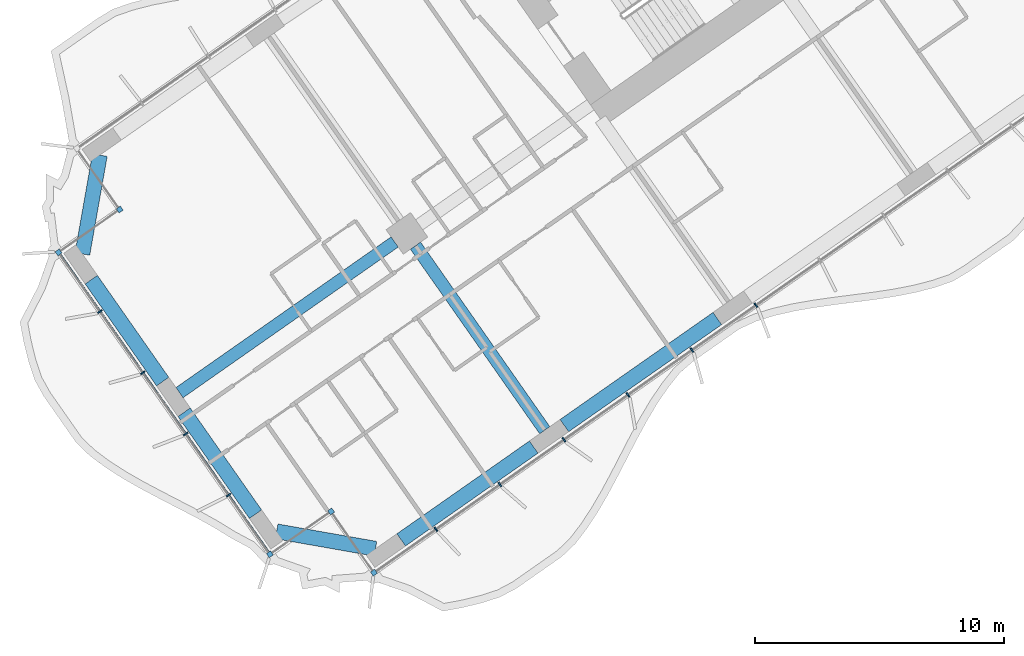
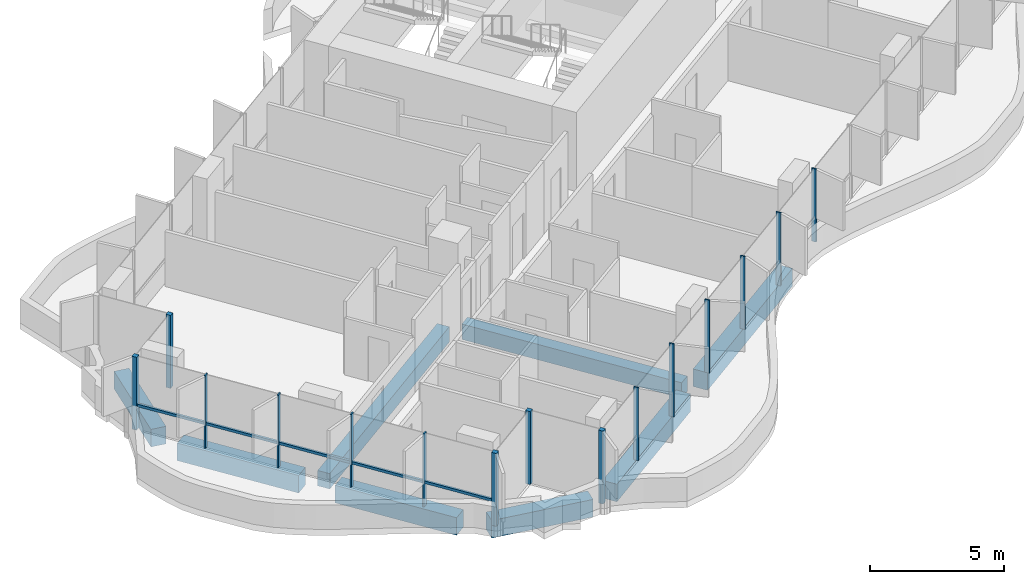
# One storey, part 2 of 24: 16 members, 8 beams, 1 element without a shape of its own.
"""IFC4 building model written with IfcOpenShell, lengths in metres."""

from ifc_helpers import new_model, si_unit, direction, frame, origin, origin_2d, place, context, subcontext, project, spatial, rectangle, extrude, material, material_profile, profile_set, type_object, element, aggregate, save


model = new_model("IFC4")

# Units and contexts
model_context = context("Model", 3, precision=1e-05, world=origin(), true_north=direction((0.0, 1.0)))
body_context = subcontext(model_context, "Body", "Model", "MODEL_VIEW")
ifc_project = project(units=[si_unit("LENGTHUNIT", "METRE"), si_unit("AREAUNIT", "SQUARE_METRE"), si_unit("VOLUMEUNIT", "CUBIC_METRE"), si_unit("PLANEANGLEUNIT", "RADIAN"), si_unit("MASSUNIT", "GRAM", prefix="KILO")], contexts=[model_context])

# Site, building, storey
site_placement = place(None, origin())
site = spatial("IfcSite", under=ifc_project, at=site_placement, CompositionType="ELEMENT")
building_placement = place(site_placement, origin())
building = spatial("IfcBuilding", under=site, at=building_placement, Name="Tel Ilan Convention Tower", CompositionType="ELEMENT")
storey_placement = place(building_placement, frame((0.0, 0.0, 90.5)))
storey = spatial("IfcBuildingStorey", under=building, at=storey_placement, Name="L18", CompositionType="ELEMENT", Elevation=90.5)

# Beams
ifc_material_1 = material(Name="Concrete C40/50", Category="concrete")
ifc_material_profile_1 = material_profile(ifc_material_1, rectangle(XDim=0.5, YDim=0.699951171875, at=origin_2d()), Name="RC 500x700")
ifc_profile_set_1 = profile_set([ifc_material_profile_1], Name="Concrete C40/50")
beam_type_1 = type_object("IfcBeamType", Name="Beam RC 500x700 Concrete C40/50", PredefinedType="BEAM", material=ifc_profile_set_1)
beam_1_placement = place(storey_placement, frame((-29.98095703125, -20.992919921875, -0.6298828125), z_axis=(-0.819151461915, -0.573577268067, 0.0), x_axis=(0.573577268067, -0.819151461915, 0.0)))
element("IfcBeam", 1, at=beam_1_placement, inside=storey, type_object=beam_type_1, Name="L18 beam W-W-M4-end", PredefinedType="BEAM", context=body_context, shape_type="SweptSolid", body=[
    extrude(rectangle(XDim=0.5, YDim=0.699951171875, at=origin_2d()), origin(), (0.0, 0.0, 1.0), 10.550048828125),
])
beam_2_placement = place(storey_placement, frame((-29.145263671875, -21.14013671875, -0.6298828125), z_axis=(0.573549245583, -0.819171082798, 0.0), x_axis=(0.819171082798, 0.573549245583, 0.0)))
element("IfcBeam", 2, at=beam_2_placement, inside=storey, type_object=beam_type_1, Name="L18 beam W-W-M4-W-F4", PredefinedType="BEAM", context=body_context, shape_type="SweptSolid", body=[
    extrude(rectangle(XDim=0.5, YDim=0.699951171875, at=origin_2d()), origin(), (0.0, 0.0, 1.0), 9.050048828125),
])
ifc_material_2 = material(Name="Concrete C40/50", Category="concrete")
ifc_material_profile_2 = material_profile(ifc_material_2, rectangle(XDim=0.60009765625, YDim=0.800048828125, at=origin_2d()), Name="RC 600x800")
ifc_profile_set_2 = profile_set([ifc_material_profile_2], Name="Concrete C40/50")
beam_type_2 = type_object("IfcBeamType", Name="Beam RC 600x800 Concrete C40/50", PredefinedType="BEAM", material=ifc_profile_set_2)
beam_3_placement = place(storey_placement, frame((-17.0244140625, -24.0673828125, -0.679931640625), z_axis=(-0.81915238829, -0.573575945067, 0.0), x_axis=(0.573575945067, -0.81915238829, 0.0)))
element("IfcBeam", 3, at=beam_3_placement, inside=storey, type_object=beam_type_2, Name="L18 beam W-W-F3-W-F4", PredefinedType="BEAM", context=body_context, shape_type="SweptSolid", body=[
    extrude(rectangle(XDim=0.60009765625, YDim=0.800048828125, at=origin_2d()), origin(), (0.0, 0.0, 1.0), 7.5),
])
beam_4_placement = place(storey_placement, frame((-24.396728515625, -29.2294921875, -0.679931640625), z_axis=(-0.819148977158, -0.573580816643, 0.0), x_axis=(0.573580816643, -0.819148977158, 0.0)))
element("IfcBeam", 4, at=beam_4_placement, inside=storey, type_object=beam_type_2, Name="L18 beam W-W-F4-W-FC", PredefinedType="BEAM", context=body_context, shape_type="SweptSolid", body=[
    extrude(rectangle(XDim=0.60009765625, YDim=0.800048828125, at=origin_2d()), origin(), (0.0, 0.0, 1.0), 6.5),
])
beam_5_placement = place(storey_placement, frame((-30.75341796875, -33.314208984375, -0.679931640625), z_axis=(-0.984815252405, 0.173605641124, 0.0), x_axis=(-0.173605641124, -0.984815252405, 0.0)))
element("IfcBeam", 5, at=beam_5_placement, inside=storey, type_object=beam_type_2, Name="L18 beam W-W-FC-W-E1", PredefinedType="BEAM", context=body_context, shape_type="SweptSolid", body=[
    extrude(rectangle(XDim=0.60009765625, YDim=0.800048828125, at=origin_2d()), origin(), (0.0, 0.0, 1.0), 4.030517578125),
])
for number, where, z_axis, x_axis, name in (
    (6, (-35.57080078125, -31.92626953125, -0.679931640625), (-0.573586866468, 0.819144740944, 0.0), (-0.819144740944, -0.573586866468, 0.0), "L18 beam W-W-E1-W-E2"),
    (7, (-39.298828125, -26.601806640625, -0.679931640625), (-0.573586866468, 0.819144740944, 0.0), (-0.819144740944, -0.573586866468, 0.0), "L18 beam W-W-E2-W-E3"),
):
    element("IfcBeam", number, at=place(storey_placement, frame(where, z_axis=z_axis, x_axis=x_axis)), inside=storey, type_object=beam_type_2, Name=name, PredefinedType="BEAM", context=body_context, shape_type="SweptSolid", body=[
        extrude(rectangle(XDim=0.60009765625, YDim=0.800048828125, at=origin_2d()), origin(), (0.0, 0.0, 1.0), 5.0),
    ])
beam_6_placement = place(storey_placement, frame((-42.523193359375, -21.473876953125, -0.679931640625), z_axis=(0.173605641124, 0.984815252405, 0.0), x_axis=(-0.984815252405, 0.173605641124, 0.0)))
element("IfcBeam", 8, at=beam_6_placement, inside=storey, type_object=beam_type_2, Name="L18 beam W-W-E3-W-BC", PredefinedType="BEAM", context=body_context, shape_type="SweptSolid", body=[
    extrude(rectangle(XDim=0.60009765625, YDim=0.800048828125, at=origin_2d()), origin(), (0.0, 0.0, 1.0), 4.030517578125),
])

# Curtain wall, members
ifc_material_3 = material(Name="Aluminium, bronze anodised", Category="aluminium")
curtain_wall_type = type_object("IfcCurtainWallType", Name="CW1 UNITISED CURTAIN WALL, HOTEL TINTED GLASS", PredefinedType="NOTDEFINED", material=ifc_material_3)
curtain_wall_placement = place(storey_placement, origin())
curtain_wall = element("IfcCurtainWall", 9, at=curtain_wall_placement, inside=storey, type_object=curtain_wall_type, Name="Curtain wall CW1-16.02", PredefinedType="NOTDEFINED")
ifc_material_4 = material(Name="Aluminium, bronze anodised", Category="aluminium")
ifc_material_profile_3 = material_profile(ifc_material_4, rectangle(XDim=0.199951171875, YDim=0.199951171875, at=origin_2d()), Name="CW CORNER MULLION 200x200")
ifc_profile_set_3 = profile_set([ifc_material_profile_3], Name="Aluminium, bronze anodised")
member_type_1 = type_object("IfcMemberType", Name="CW CORNER MULLION 200x200", PredefinedType="MULLION", material=ifc_profile_set_3)
member_1_placement = place(storey_placement, frame((-41.0244140625, -19.69189453125, 0.0), z_axis=(0.0, 0.0, 1.0), x_axis=(0.573576436351, -0.819152044289, 0.0)))
member_1 = element("IfcMember", 10, at=member_1_placement, type_object=member_type_1, Name="Corner mullion", PredefinedType="MULLION", context=body_context, shape_type="SweptSolid", body=[
    extrude(rectangle(XDim=0.199951171875, YDim=0.199951171875, at=origin_2d()), origin(), (0.0, 0.0, 1.0), 3.320068359375),
])
member_2_placement = place(storey_placement, frame((-43.48193359375, -21.41259765625, 0.0), z_axis=(0.0, 0.0, 1.0), x_axis=(-0.819152044289, -0.573576436351, 0.0)))
member_2 = element("IfcMember", 11, at=member_2_placement, type_object=member_type_1, Name="Corner mullion", PredefinedType="MULLION", context=body_context, shape_type="SweptSolid", body=[
    extrude(rectangle(XDim=0.199951171875, YDim=0.199951171875, at=origin_2d()), origin(), (0.0, 0.0, 1.0), 3.320068359375),
])
member_3_placement = place(storey_placement, frame((-34.992919921875, -33.5361328125, 0.0), z_axis=(0.0, 0.0, 1.0), x_axis=(0.573576436351, -0.819152044289, 0.0)))
member_3 = element("IfcMember", 12, at=member_3_placement, type_object=member_type_1, Name="Corner mullion", PredefinedType="MULLION", context=body_context, shape_type="SweptSolid", body=[
    extrude(rectangle(XDim=0.199951171875, YDim=0.199951171875, at=origin_2d()), origin(), (0.0, 0.0, 1.0), 3.320068359375),
])
member_4_placement = place(storey_placement, frame((-32.535400390625, -31.815185546875, 0.0), z_axis=(0.0, 0.0, 1.0), x_axis=(0.819152044289, 0.573576436351, 0.0)))
member_4 = element("IfcMember", 13, at=member_4_placement, type_object=member_type_1, Name="Corner mullion", PredefinedType="MULLION", context=body_context, shape_type="SweptSolid", body=[
    extrude(rectangle(XDim=0.199951171875, YDim=0.199951171875, at=origin_2d()), origin(), (0.0, 0.0, 1.0), 3.320068359375),
])
member_5_placement = place(storey_placement, frame((-30.814697265625, -34.272705078125, 0.0), z_axis=(0.0, 0.0, 1.0), x_axis=(0.573576436351, -0.819152044289, 0.0)))
member_5 = element("IfcMember", 14, at=member_5_placement, type_object=member_type_1, Name="Corner mullion", PredefinedType="MULLION", context=body_context, shape_type="SweptSolid", body=[
    extrude(rectangle(XDim=0.199951171875, YDim=0.199951171875, at=origin_2d()), origin(), (0.0, 0.0, 1.0), 3.320068359375),
])
ifc_material_5 = material(Name="Aluminium, bronze anodised", Category="aluminium")
ifc_material_profile_4 = material_profile(ifc_material_5, rectangle(XDim=0.06005859375, YDim=0.199951171875, at=origin_2d()), Name="CW MULLION 60x200")
ifc_profile_set_4 = profile_set([ifc_material_profile_4], Name="Aluminium, bronze anodised")
member_type_2 = type_object("IfcMemberType", Name="CW MULLION 60x200", PredefinedType="MULLION", material=ifc_profile_set_4)
member_6_placement = place(storey_placement, frame((-41.818359375, -23.7880859375, 0.0), z_axis=(0.0, 0.0, 1.0), x_axis=(0.573576436351, -0.819152044289, 0.0)))
member_6 = element("IfcMember", 15, at=member_6_placement, type_object=member_type_2, Name="Mullion", PredefinedType="MULLION", context=body_context, shape_type="SweptSolid", body=[
    extrude(rectangle(XDim=0.06005859375, YDim=0.199951171875, at=origin_2d()), origin(), (0.0, 0.0, 1.0), 3.320068359375),
])
member_7_placement = place(storey_placement, frame((-40.09765625, -26.24560546875, 0.0), z_axis=(0.0, 0.0, 1.0), x_axis=(0.573576436351, -0.819152044289, 0.0)))
member_7 = element("IfcMember", 16, at=member_7_placement, type_object=member_type_2, Name="Mullion", PredefinedType="MULLION", context=body_context, shape_type="SweptSolid", body=[
    extrude(rectangle(XDim=0.06005859375, YDim=0.199951171875, at=origin_2d()), origin(), (0.0, 0.0, 1.0), 3.320068359375),
])
member_8_placement = place(storey_placement, frame((-38.376953125, -28.703125, 0.0), z_axis=(0.0, 0.0, 1.0), x_axis=(0.573576436351, -0.819152044289, 0.0)))
member_8 = element("IfcMember", 17, at=member_8_placement, type_object=member_type_2, Name="Mullion", PredefinedType="MULLION", context=body_context, shape_type="SweptSolid", body=[
    extrude(rectangle(XDim=0.06005859375, YDim=0.199951171875, at=origin_2d()), origin(), (0.0, 0.0, 1.0), 3.320068359375),
])
member_9_placement = place(storey_placement, frame((-36.65625, -31.160400390625, 0.0), z_axis=(0.0, 0.0, 1.0), x_axis=(0.573576436351, -0.819152044289, 0.0)))
member_9 = element("IfcMember", 18, at=member_9_placement, type_object=member_type_2, Name="Mullion", PredefinedType="MULLION", context=body_context, shape_type="SweptSolid", body=[
    extrude(rectangle(XDim=0.06005859375, YDim=0.199951171875, at=origin_2d()), origin(), (0.0, 0.0, 1.0), 3.320068359375),
])
member_10_placement = place(storey_placement, frame((-28.32666015625, -32.530517578125, 0.0), z_axis=(0.0, 0.0, 1.0), x_axis=(0.819152044289, 0.573576436351, 0.0)))
member_10 = element("IfcMember", 19, at=member_10_placement, type_object=member_type_2, Name="Mullion", PredefinedType="MULLION", context=body_context, shape_type="SweptSolid", body=[
    extrude(rectangle(XDim=0.06005859375, YDim=0.199951171875, at=origin_2d()), origin(), (0.0, 0.0, 1.0), 3.320068359375),
])
member_11_placement = place(storey_placement, frame((-25.7568359375, -30.731201171875, 0.0), z_axis=(0.0, 0.0, 1.0), x_axis=(0.819152044289, 0.573576436351, 0.0)))
member_11 = element("IfcMember", 20, at=member_11_placement, type_object=member_type_2, Name="Mullion", PredefinedType="MULLION", context=body_context, shape_type="SweptSolid", body=[
    extrude(rectangle(XDim=0.06005859375, YDim=0.199951171875, at=origin_2d()), origin(), (0.0, 0.0, 1.0), 3.320068359375),
])
member_12_placement = place(storey_placement, frame((-23.186767578125, -28.931640625, 0.0), z_axis=(0.0, 0.0, 1.0), x_axis=(0.819152044289, 0.573576436351, 0.0)))
member_12 = element("IfcMember", 21, at=member_12_placement, type_object=member_type_2, Name="Mullion", PredefinedType="MULLION", context=body_context, shape_type="SweptSolid", body=[
    extrude(rectangle(XDim=0.06005859375, YDim=0.199951171875, at=origin_2d()), origin(), (0.0, 0.0, 1.0), 3.320068359375),
])
member_13_placement = place(storey_placement, frame((-20.616943359375, -27.132080078125, 0.0), z_axis=(0.0, 0.0, 1.0), x_axis=(0.819152044289, 0.573576436351, 0.0)))
member_13 = element("IfcMember", 22, at=member_13_placement, type_object=member_type_2, Name="Mullion", PredefinedType="MULLION", context=body_context, shape_type="SweptSolid", body=[
    extrude(rectangle(XDim=0.06005859375, YDim=0.199951171875, at=origin_2d()), origin(), (0.0, 0.0, 1.0), 3.320068359375),
])
member_14_placement = place(storey_placement, frame((-18.046875, -25.332763671875, 0.0), z_axis=(0.0, 0.0, 1.0), x_axis=(0.819152044289, 0.573576436351, 0.0)))
member_14 = element("IfcMember", 23, at=member_14_placement, type_object=member_type_2, Name="Mullion", PredefinedType="MULLION", context=body_context, shape_type="SweptSolid", body=[
    extrude(rectangle(XDim=0.06005859375, YDim=0.199951171875, at=origin_2d()), origin(), (0.0, 0.0, 1.0), 3.320068359375),
])
member_15_placement = place(storey_placement, frame((-15.47705078125, -23.533203125, 0.0), z_axis=(0.0, 0.0, 1.0), x_axis=(0.819152044289, 0.573576436351, 0.0)))
member_15 = element("IfcMember", 24, at=member_15_placement, type_object=member_type_2, Name="Mullion", PredefinedType="MULLION", context=body_context, shape_type="SweptSolid", body=[
    extrude(rectangle(XDim=0.06005859375, YDim=0.199951171875, at=origin_2d()), origin(), (0.0, 0.0, 1.0), 3.320068359375),
])
ifc_material_6 = material(Name="Aluminium, bronze anodised", Category="aluminium")
ifc_material_profile_5 = material_profile(ifc_material_6, rectangle(XDim=0.10009765625, YDim=0.1201171875, at=origin_2d()), Name="CW TRANSOM 100x120")
ifc_profile_set_5 = profile_set([ifc_material_profile_5], Name="Aluminium, bronze anodised")
member_type_3 = type_object("IfcMemberType", Name="CW TRANSOM 100x120", PredefinedType="USERDEFINED", material=ifc_profile_set_5)
member_16_placement = place(storey_placement, frame((-43.424560546875, -21.494384765625, 1.10009765625), z_axis=(0.573575688231, -0.819152568128, 0.0), x_axis=(0.819152568128, 0.573575688231, 0.0)))
member_16 = element("IfcMember", 25, at=member_16_placement, type_object=member_type_3, Name="Transom", ObjectType="TRANSOM", PredefinedType="USERDEFINED", context=body_context, shape_type="SweptSolid", body=[
    extrude(rectangle(XDim=0.10009765625, YDim=0.1201171875, at=origin_2d()), origin(), (0.0, 0.0, 1.0), 14.60009765625),
])
aggregate(curtain_wall, [member_1, member_2, member_6, member_7, member_8, member_9, member_3, member_16, member_4, member_5, member_10, member_11, member_12, member_13, member_14, member_15])

save(model, "model.ifc")
